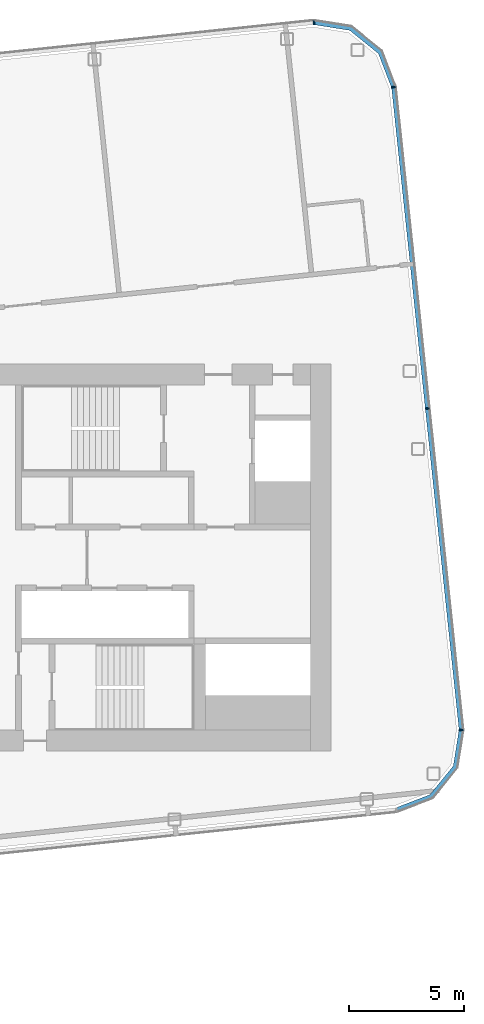
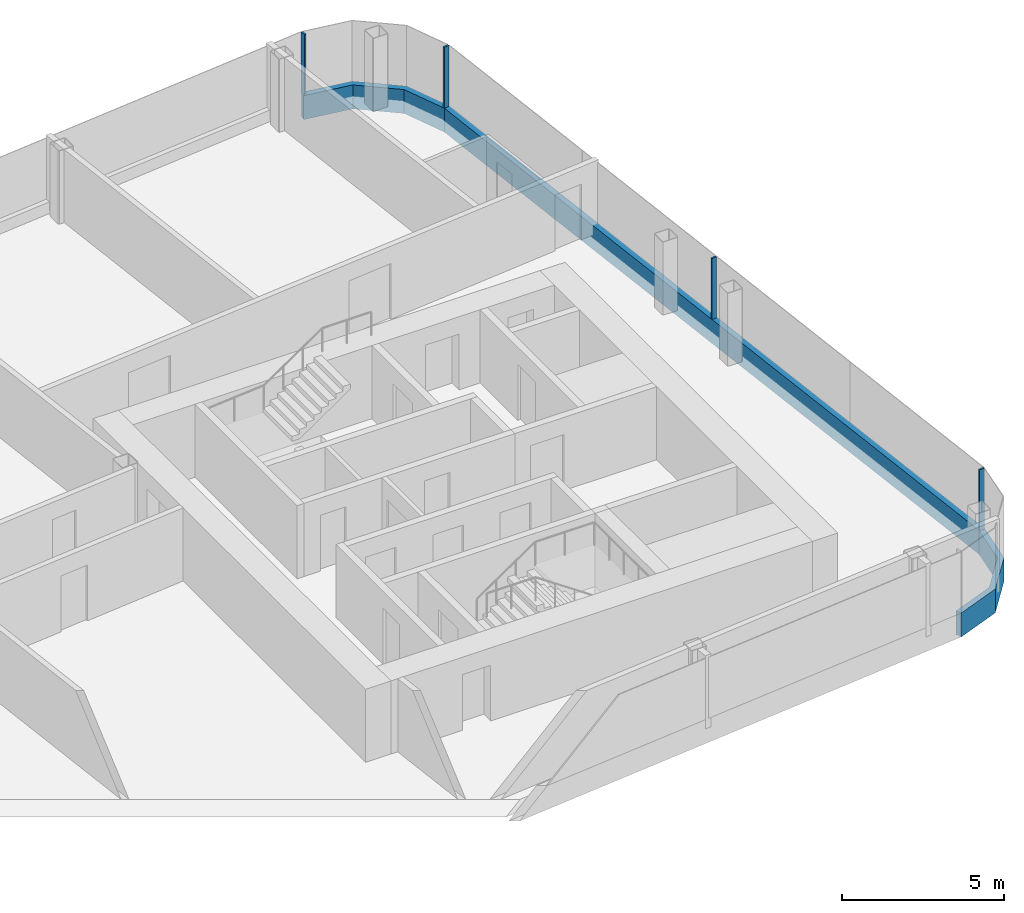
# One storey, part 12 of 27: 7 members, 4 elements without a shape of their own.
"""IFC4 building model written with IfcOpenShell, lengths in metres."""

from ifc_helpers import new_model, si_unit, direction, frame, origin, origin_2d, place, context, subcontext, project, spatial, polyline, rectangle, outline, extrude, material, layer, layer_set, material_profile, profile_set, type_object, element, aggregate, save


model = new_model("IFC4")

# Units and contexts
model_context = context("Model", 3, precision=1e-05, world=origin(), true_north=direction((0.0, 1.0)))
body_context = subcontext(model_context, "Body", "Model", "MODEL_VIEW")
ifc_project = project(units=[si_unit("LENGTHUNIT", "METRE"), si_unit("AREAUNIT", "SQUARE_METRE"), si_unit("VOLUMEUNIT", "CUBIC_METRE"), si_unit("PLANEANGLEUNIT", "RADIAN"), si_unit("MASSUNIT", "GRAM", prefix="KILO")], contexts=[model_context])

# Site, building, storey
site_placement = place(None, origin())
site = spatial("IfcSite", under=ifc_project, at=site_placement, CompositionType="ELEMENT")
building_placement = place(site_placement, origin())
building = spatial("IfcBuilding", under=site, at=building_placement, Name="Hakoniwa Tower and Hamabe Station Hall", CompositionType="ELEMENT")
storey_placement = place(building_placement, frame((0.0, 0.0, 255.0)))
storey = spatial("IfcBuildingStorey", under=building, at=storey_placement, Name="L72", CompositionType="ELEMENT", Elevation=255.0)

# Curtain wall, member
ifc_material_1 = material(Name="Dark low-e laminated glass", Category="glass")
ifc_layer = layer(ifc_material_1, 0.199951171875)
ifc_layer_set = layer_set([ifc_layer], Name="CW-1 UNITISED GUEST")
curtain_wall_type = type_object("IfcCurtainWallType", Name="CW-1 UNITISED GUEST", PredefinedType="NOTDEFINED", material=ifc_layer_set)
curtain_wall_1_placement = place(storey_placement, origin())
curtain_wall_1 = element("IfcCurtainWall", 1, at=curtain_wall_1_placement, inside=storey, type_object=curtain_wall_type, Name="CW-1 curtain wall", PredefinedType="NOTDEFINED")
ifc_material_2 = material(Name="Aluminium 6063-T5 black anodised", Category="aluminium")
ifc_material_profile_1 = material_profile(ifc_material_2, rectangle(XDim=0.199951171875, YDim=0.89990234375, at=origin_2d()), Name="CW SLAB-EDGE BAND 900X200")
ifc_profile_set_1 = profile_set([ifc_material_profile_1], Name="Aluminium 6063-T5 black anodised")
member_type_1 = type_object("IfcMemberType", Name="CW SLAB-EDGE BAND 900X200", PredefinedType="USERDEFINED", material=ifc_profile_set_1)
member_1_placement = place(storey_placement, frame((39.25927734375, -7.490478515625, -0.10009765625), z_axis=(-0.104529086463, 0.994521829868, 0.0), x_axis=(-0.994521829868, -0.104529086463, 0.0)))
member_1 = element("IfcMember", 2, at=member_1_placement, type_object=member_type_1, Name="CW-1 transom", ObjectType="TRANSOM", PredefinedType="USERDEFINED", context=body_context, shape_type="SweptSolid", body=[
    extrude(rectangle(XDim=0.199951171875, YDim=0.89990234375, at=origin_2d()), origin(), (0.0, 0.0, 1.0), 28.078857421875),
])

curtain_wall_2_placement = place(storey_placement, origin())
curtain_wall_2 = element("IfcCurtainWall", 3, at=curtain_wall_2_placement, inside=storey, type_object=curtain_wall_type, Name="CW-1 curtain wall", PredefinedType="NOTDEFINED")
member_2_placement = place(storey_placement, frame((0.0, 0.0, -0.550048828125)))
member_2 = element("IfcMember", 4, at=member_2_placement, type_object=member_type_1, Name="CW-1 transom", ObjectType="TRANSOM", PredefinedType="USERDEFINED", context=body_context, shape_type="SweptSolid", body=[
    extrude(outline(polyline([(36.423828125, 20.445068359375), (35.82421875, 22.0068359375), (34.492431640625, 23.085205078125), (32.84033203125, 23.346923828125), (32.80908203125, 23.1494140625), (34.408203125, 22.89599609375), (35.65673828125, 21.885009765625), (36.237060546875, 20.37353515625), (36.423828125, 20.445068359375)])), origin(), (0.0, 0.0, 1.0), 0.900146484375),
])
aggregate(curtain_wall_2, [member_2])

curtain_wall_3_placement = place(storey_placement, origin())
curtain_wall_3 = element("IfcCurtainWall", 5, at=curtain_wall_3_placement, inside=storey, type_object=curtain_wall_type, Name="CW-1 curtain wall", PredefinedType="NOTDEFINED")
member_3_placement = place(storey_placement, frame((0.0, 0.0, -0.550048828125)))
member_3 = element("IfcMember", 6, at=member_3_placement, type_object=member_type_1, Name="CW-1 transom", ObjectType="TRANSOM", PredefinedType="USERDEFINED", context=body_context, shape_type="SweptSolid", body=[
    extrude(outline(polyline([(36.45703125, -11.0634765625), (38.0185546875, -10.464111328125), (39.09716796875, -9.13232421875), (39.35888671875, -7.47998046875), (39.161376953125, -7.44873046875), (38.907958984375, -9.048095703125), (37.89697265625, -10.296630859375), (36.38525390625, -10.876708984375), (36.45703125, -11.0634765625)])), origin(), (0.0, 0.0, 1.0), 0.900146484375),
])
aggregate(curtain_wall_3, [member_3])

# Member
ifc_material_3 = material(Name="Aluminium 6063-T5 black anodised", Category="aluminium")
ifc_material_profile_2 = material_profile(ifc_material_3, rectangle(XDim=0.06005859375, YDim=0.179931640625, at=origin_2d()), Name="CW-1 MULLION 60X180")
ifc_profile_set_2 = profile_set([ifc_material_profile_2], Name="Aluminium 6063-T5 black anodised")
member_type_2 = type_object("IfcMemberType", Name="CW-1 MULLION 60X180", PredefinedType="MULLION", material=ifc_profile_set_2)
member_4_placement = place(storey_placement, frame((39.241455078125, -7.492431640625, 0.35009765625), z_axis=(0.0, 0.0, 1.0), x_axis=(-0.104528468631, 0.994521894805, 0.0)))
member_4 = element("IfcMember", 7, at=member_4_placement, type_object=member_type_2, Name="CW-1 mullion", PredefinedType="MULLION", context=body_context, shape_type="SweptSolid", body=[
    extrude(rectangle(XDim=0.06005859375, YDim=0.179931640625, at=origin_2d()), origin(), (0.0, 0.0, 1.0), 2.2998046875),
])

member_5_placement = place(storey_placement, frame((37.77392578125, 6.47021484375, 0.35009765625), z_axis=(0.0, 0.0, 1.0), x_axis=(-0.104528468631, 0.994521894805, 0.0)))
member_5 = element("IfcMember", 8, at=member_5_placement, type_object=member_type_2, Name="CW-1 mullion", PredefinedType="MULLION", context=body_context, shape_type="SweptSolid", body=[
    extrude(rectangle(XDim=0.06005859375, YDim=0.179931640625, at=origin_2d()), origin(), (0.0, 0.0, 1.0), 2.2998046875),
])

member_6_placement = place(storey_placement, frame((36.306396484375, 20.432861328125, 0.35009765625), z_axis=(0.0, 0.0, 1.0), x_axis=(-0.104528468631, 0.994521894805, 0.0)))
member_6 = element("IfcMember", 9, at=member_6_placement, type_object=member_type_2, Name="CW-1 mullion", PredefinedType="MULLION", context=body_context, shape_type="SweptSolid", body=[
    extrude(rectangle(XDim=0.06005859375, YDim=0.179931640625, at=origin_2d()), origin(), (0.0, 0.0, 1.0), 2.2998046875),
])

aggregate(curtain_wall_1, [member_4, member_5, member_6, member_1])

# Curtain wall, member
curtain_wall_4_placement = place(storey_placement, origin())
curtain_wall_4 = element("IfcCurtainWall", 10, at=curtain_wall_4_placement, inside=storey, type_object=curtain_wall_type, Name="CW-1 curtain wall", PredefinedType="NOTDEFINED")
member_7_placement = place(storey_placement, frame((32.8525390625, 23.2294921875, 0.35009765625), z_axis=(0.0, 0.0, 1.0), x_axis=(-0.994521895272, -0.104528464188, 0.0)))
member_7 = element("IfcMember", 11, at=member_7_placement, type_object=member_type_2, Name="CW-1 mullion", PredefinedType="MULLION", context=body_context, shape_type="SweptSolid", body=[
    extrude(rectangle(XDim=0.06005859375, YDim=0.179931640625, at=origin_2d()), origin(), (0.0, 0.0, 1.0), 2.2998046875),
])
aggregate(curtain_wall_4, [member_7])

save(model, "model.ifc")
